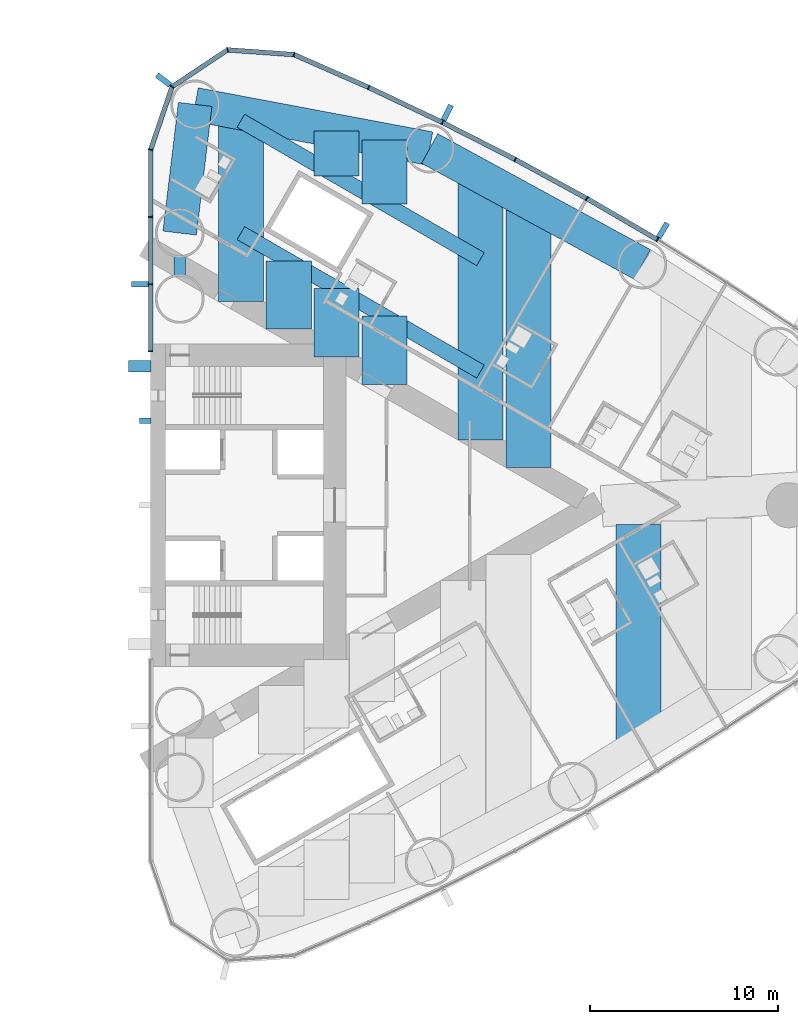
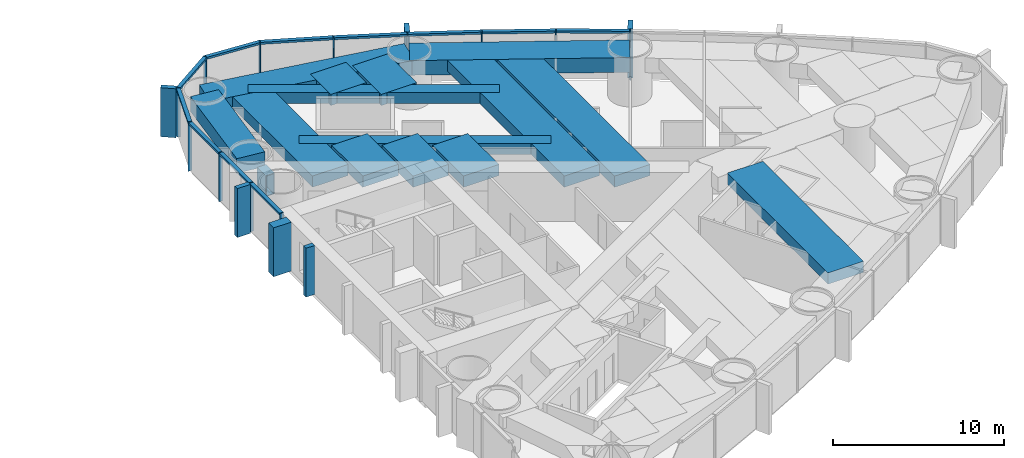
# One storey, part 7 of 18: 29 members, 15 beams, 1 element without a shape of its own.
"""IFC4 building model written with IfcOpenShell, lengths in metres."""

import ifcopenshell
import ifcopenshell.guid

model = None  # the IFC model being written
_history = None  # IfcOwnerHistory: only IFC2X3 demands one
_inside = {}  # id of a spatial element -> (the spatial element, [elements in it])
_under = {}  # id of a project, library or spatial element -> (it, [spatial elements below it])
_declared = {}  # id of a project -> (the project, [libraries it declares])
_typed = {}  # id of a type object -> (the type object, [elements of that type])
_made_of = {}  # id of a material, layer set ... -> (it, [elements and type objects made of it])


def new_model(schema):
    """Start an empty IFC model of exactly this schema.

    Asked for "IFC4X3", IfcOpenShell would pick the latest addendum, in which some entities
    have other attributes; the version numbers below select the first issue.
    IFC2X3 requires an IfcOwnerHistory on every rooted entity: one is made here for all.
    """
    global model, _history
    if schema == "IFC4X3":
        model = ifcopenshell.file(schema_version=(4, 3, 0, 0))
    else:
        model = ifcopenshell.file(schema=schema)
    _inside.clear()
    _under.clear()
    _declared.clear()
    _typed.clear()
    _made_of.clear()
    _history = None
    if model.schema == "IFC2X3":
        org = make("IfcOrganization", Name="unknown")
        user = make(
            "IfcPersonAndOrganization",
            ThePerson=make("IfcPerson", FamilyName="unknown"),
            TheOrganization=org,
        )
        app = make(
            "IfcApplication",
            ApplicationDeveloper=org,
            Version="unknown",
            ApplicationFullName="unknown",
            ApplicationIdentifier="unknown",
        )
        _history = make(
            "IfcOwnerHistory",
            OwningUser=user,
            OwningApplication=app,
            ChangeAction="ADDED",
            CreationDate=0,
        )
    return model


def make(cls, **values):
    """One entity of the class cls with the attributes given. An attribute that is None is left unset."""
    return model.create_entity(
        cls, **{name: value for name, value in values.items() if value is not None}
    )


def rooted(cls, **values):
    """An entity with a GlobalId (a new one), such as an element, a storey or a relation."""
    return make(cls, GlobalId=ifcopenshell.guid.new(), OwnerHistory=_history, **values)


def si_unit(unit_type, name, prefix=None):
    """IfcSIUnit, for example si_unit("LENGTHUNIT", "METRE", prefix="MILLI")."""
    return make("IfcSIUnit", UnitType=unit_type, Prefix=prefix, Name=name)


def assignment(units):
    """IfcUnitAssignment: the units of a project."""
    return None if units is None else make("IfcUnitAssignment", Units=units)


def point(xyz):
    """IfcCartesianPoint."""
    return None if xyz is None else make("IfcCartesianPoint", Coordinates=xyz)


def direction(xyz):
    """IfcDirection."""
    return None if xyz is None else make("IfcDirection", DirectionRatios=xyz)


def frame(location, z_axis=None, x_axis=None):
    """IfcAxis2Placement3D, a coordinate frame: its origin and axes. An axis left out is left unset."""
    return make(
        "IfcAxis2Placement3D",
        Location=point(location),
        Axis=direction(z_axis),
        RefDirection=direction(x_axis),
    )


def frame_2d(location, x_axis=None):
    """IfcAxis2Placement2D, a coordinate frame in the plane: its origin and x axis."""
    return make(
        "IfcAxis2Placement2D", Location=point(location), RefDirection=direction(x_axis)
    )


def origin():
    """The frame at (0, 0, 0) with its axes left unset."""
    return frame((0.0, 0.0, 0.0))


def origin_2d():
    """The frame at (0, 0) in the plane with its x axis left unset."""
    return frame_2d((0.0, 0.0))


def place(relative_to, where):
    """IfcLocalPlacement: puts the frame where relative to a parent placement (None: the world)."""
    return make(
        "IfcLocalPlacement", PlacementRelTo=relative_to, RelativePlacement=where
    )


def context(
    kind, dimensions, precision=None, world=None, true_north=None, identifier=None
):
    """IfcGeometricRepresentationContext, for example the 3D "Model" context."""
    return make(
        "IfcGeometricRepresentationContext",
        ContextIdentifier=identifier,
        ContextType=kind,
        CoordinateSpaceDimension=dimensions,
        Precision=precision,
        WorldCoordinateSystem=world,
        TrueNorth=true_north,
    )


def subcontext(parent, identifier, kind, view, scale=None):
    """IfcGeometricRepresentationSubContext, for example "Body" below "Model"."""
    return make(
        "IfcGeometricRepresentationSubContext",
        ContextIdentifier=identifier,
        ContextType=kind,
        ParentContext=parent,
        TargetScale=scale,
        TargetView=view,
    )


def project(units=None, contexts=None):
    """IfcProject with its units and contexts."""
    return rooted(
        "IfcProject",
        Name="project",
        RepresentationContexts=contexts,
        UnitsInContext=assignment(units),
    )


def spatial(cls, under=None, at=None, **own):
    """A site, building, storey or space (cls), placed at a placement, below another one or the project."""
    s = rooted(cls, ObjectPlacement=at, **own)
    if under is not None:
        _under.setdefault(under.id(), (under, []))[1].append(s)
    return s


def profile(cls, at=None, kind="AREA", **sizes):
    """A parametric profile (cls). Its sizes go by their IFC names, for example OverallWidth=200.0."""
    return make(cls, ProfileType=kind, Position=at, **sizes)


def rectangle(**sizes):
    """IfcRectangleProfileDef."""
    return profile("IfcRectangleProfileDef", **sizes)


def hollow_rectangle(**sizes):
    """IfcRectangleHollowProfileDef."""
    return profile("IfcRectangleHollowProfileDef", **sizes)


def extrude(swept, where, along, depth):
    """IfcExtrudedAreaSolid: the profile swept, set in the frame where, extruded along a direction by depth."""
    return make(
        "IfcExtrudedAreaSolid",
        SweptArea=swept,
        Position=where,
        ExtrudedDirection=direction(along),
        Depth=depth,
    )


def shape(context_of_items, identifier, shape_type, items):
    """IfcShapeRepresentation: the items that make up one representation, for example the "Body"."""
    return make(
        "IfcShapeRepresentation",
        ContextOfItems=context_of_items,
        RepresentationIdentifier=identifier,
        RepresentationType=shape_type,
        Items=items,
    )


def material(Name=None, Category=None):
    """IfcMaterial."""
    return make("IfcMaterial", Name=Name, Category=Category)


def material_profile(
    of_material, cross_section, Name=None, Category=None, Priority=None
):
    """IfcMaterialProfile: a cross section and its material."""
    return make(
        "IfcMaterialProfile",
        Name=Name,
        Material=of_material,
        Profile=cross_section,
        Priority=Priority,
        Category=Category,
    )


def profile_set(profiles, Name=None, composite=None):
    """IfcMaterialProfileSet."""
    return make(
        "IfcMaterialProfileSet",
        Name=Name,
        MaterialProfiles=profiles,
        CompositeProfile=composite,
    )


def made_of(thing, what):
    """Note that an element or type object is made of a material, layer set ...; save() writes the relation."""
    if what is not None:
        _made_of.setdefault(what.id(), (what, []))[1].append(thing)
    return thing


def type_object(cls, material=None, **own):
    """A type object (cls), such as IfcWallType, which elements share."""
    return made_of(rooted(cls, **own), material)


def element(
    cls,
    number,
    at=None,
    inside=None,
    cuts=None,
    type_object=None,
    material=None,
    context=None,
    identifier="Body",
    shape_type=None,
    held_by="IfcProductDefinitionShape",
    body=None,
    shapes=None,
    **own,
):
    """One element of the class cls, such as IfcWall. Its Tag is "e" and its number.

    at: its placement. inside: the storey or other place that contains it. cuts: it is an
    opening in that element (IfcRelVoidsElement). A single representation is given by context,
    identifier, shape_type and body (its items); several are given by shapes. held_by: the class
    of the entity that holds the representations. save() writes the other relations.
    """
    e = rooted(cls, Tag="e%d" % number, ObjectPlacement=at, **own)
    if body is not None:
        shapes = [shape(context, identifier, shape_type, body)]
    if shapes is not None:
        e.Representation = make(held_by, Representations=shapes)
    if inside is not None:
        _inside.setdefault(inside.id(), (inside, []))[1].append(e)
    if cuts is not None:
        rooted(
            "IfcRelVoidsElement", RelatingBuildingElement=cuts, RelatedOpeningElement=e
        )
    if type_object is not None:
        _typed.setdefault(type_object.id(), (type_object, []))[1].append(e)
    return made_of(e, material)


def aggregate(whole, parts):
    """IfcRelAggregates: a whole, such as a stair, and the parts it consists of."""
    return rooted("IfcRelAggregates", RelatingObject=whole, RelatedObjects=parts)


def save(model, path):
    """Write the relations noted so far, then the file.

    IfcRelAggregates (storeys below a building ...), IfcRelContainedInSpatialStructure (elements
    in a storey), IfcRelDefinesByType, IfcRelAssociatesMaterial and IfcRelDeclares: one each for
    every whole, place, type object, material and project.
    """
    for whole, parts in _under.values():
        aggregate(whole, parts)
    for where, things in _inside.values():
        rooted(
            "IfcRelContainedInSpatialStructure",
            RelatedElements=things,
            RelatingStructure=where,
        )
    for kind, things in _typed.values():
        rooted("IfcRelDefinesByType", RelatedObjects=things, RelatingType=kind)
    for what, things in _made_of.values():
        rooted("IfcRelAssociatesMaterial", RelatedObjects=things, RelatingMaterial=what)
    for by, libraries in _declared.values():
        rooted("IfcRelDeclares", RelatingContext=by, RelatedDefinitions=libraries)
    model.write(path)


model = new_model("IFC4")

# Units and contexts
model_context = context("Model", 3, precision=1e-05, world=origin(), true_north=direction((0.0, 1.0)))
body_context = subcontext(model_context, "Body", "Model", "MODEL_VIEW")
ifc_project = project(units=[si_unit("LENGTHUNIT", "METRE"), si_unit("AREAUNIT", "SQUARE_METRE"), si_unit("VOLUMEUNIT", "CUBIC_METRE"), si_unit("PLANEANGLEUNIT", "RADIAN"), si_unit("MASSUNIT", "GRAM", prefix="KILO")], contexts=[model_context])

# Site, building, storey
site_placement = place(None, origin())
site = spatial("IfcSite", under=ifc_project, at=site_placement, CompositionType="ELEMENT")
building_placement = place(site_placement, origin())
building = spatial("IfcBuilding", under=site, at=building_placement, Name="Lancet Gate Hotel", CompositionType="ELEMENT")
storey_placement = place(building_placement, frame((0.0, 0.0, 108.10009765625)))
storey = spatial("IfcBuildingStorey", under=building, at=storey_placement, Name="L28", CompositionType="ELEMENT", Elevation=108.10009765625)

# Curtain wall, members
ifc_material_1 = material(Name="Aluminium curtain wall", Category="aluminium")
curtain_wall_type = type_object("IfcCurtainWallType", Name="Tower unitised curtain wall", PredefinedType="USERDEFINED", material=ifc_material_1)
curtain_wall_placement = place(storey_placement, origin())
curtain_wall = element("IfcCurtainWall", 1, at=curtain_wall_placement, inside=storey, type_object=curtain_wall_type, Name="T2 L28 curtain wall 1", ObjectType="UNITISED CURTAIN WALL", PredefinedType="USERDEFINED")
ifc_material_2 = material(Name="Aluminium mullion", Category="aluminium")
ifc_material_profile_1 = material_profile(ifc_material_2, rectangle(XDim=0.06494140625, YDim=0.25, at=origin_2d()), Name="MULLION 65x250")
ifc_profile_set_1 = profile_set([ifc_material_profile_1], Name="Aluminium mullion")
member_type_1 = type_object("IfcMemberType", Name="Aluminium mullion 65x250", PredefinedType="MULLION", material=ifc_profile_set_1)
member_1_placement = place(storey_placement, frame((54.496337890625, 14.1552734375, 0.0), z_axis=(0.0, 0.0, 1.0), x_axis=(-0.856728030701, 0.515768437781, 0.0)))
member_1 = element("IfcMember", 2, at=member_1_placement, type_object=member_type_1, Name="T2 L28 curtain wall 1 mullion 23", PredefinedType="MULLION", context=body_context, shape_type="SweptSolid", body=[
    extrude(rectangle(XDim=0.06494140625, YDim=0.25, at=origin_2d()), origin(), (0.0, 0.0, 1.0), 3.5),
])
member_2_placement = place(storey_placement, frame((50.740478515625, 16.344482421875, 0.0), z_axis=(0.0, 0.0, 1.0), x_axis=(-0.871028838445, 0.491231882716, 0.0)))
member_2 = element("IfcMember", 3, at=member_2_placement, type_object=member_type_1, Name="T2 L28 curtain wall 1 mullion 24", PredefinedType="MULLION", context=body_context, shape_type="SweptSolid", body=[
    extrude(rectangle(XDim=0.06494140625, YDim=0.25, at=origin_2d()), origin(), (0.0, 0.0, 1.0), 3.5),
])
member_3_placement = place(storey_placement, frame((46.923828125, 18.426025390625, 0.0), z_axis=(0.0, 0.0, 1.0), x_axis=(-0.884627112962, 0.466299121822, 0.0)))
member_3 = element("IfcMember", 4, at=member_3_placement, type_object=member_type_1, Name="T2 L28 curtain wall 1 mullion 25", PredefinedType="MULLION", context=body_context, shape_type="SweptSolid", body=[
    extrude(rectangle(XDim=0.06494140625, YDim=0.25, at=origin_2d()), origin(), (0.0, 0.0, 1.0), 3.5),
])
member_4_placement = place(storey_placement, frame((43.0498046875, 20.398193359375, 0.0), z_axis=(0.0, 0.0, 1.0), x_axis=(-0.897511886496, 0.440990264743, 0.0)))
member_4 = element("IfcMember", 5, at=member_4_placement, type_object=member_type_1, Name="T2 L28 curtain wall 1 mullion 26", PredefinedType="MULLION", context=body_context, shape_type="SweptSolid", body=[
    extrude(rectangle(XDim=0.06494140625, YDim=0.25, at=origin_2d()), origin(), (0.0, 0.0, 1.0), 3.5),
])
member_5_placement = place(storey_placement, frame((39.12109375, 22.259765625, 0.0), z_axis=(0.0, 0.0, 1.0), x_axis=(-0.909672766767, 0.415325724465, 0.0)))
member_5 = element("IfcMember", 6, at=member_5_placement, type_object=member_type_1, Name="T2 L28 curtain wall 1 mullion 27", PredefinedType="MULLION", context=body_context, shape_type="SweptSolid", body=[
    extrude(rectangle(XDim=0.06494140625, YDim=0.25, at=origin_2d()), origin(), (0.0, 0.0, 1.0), 3.5),
])
member_6_placement = place(storey_placement, frame((35.141357421875, 24.009033203125, 0.0), z_axis=(0.0, 0.0, 1.0), x_axis=(-0.966317378791, 0.257353304711, 0.0)))
member_6 = element("IfcMember", 7, at=member_6_placement, type_object=member_type_1, Name="T2 L28 curtain wall 1 mullion 28", PredefinedType="MULLION", context=body_context, shape_type="SweptSolid", body=[
    extrude(rectangle(XDim=0.06494140625, YDim=0.25, at=origin_2d()), origin(), (0.0, 0.0, 1.0), 3.5),
])
member_7_placement = place(storey_placement, frame((31.60205078125, 24.26220703125, 0.0), z_axis=(0.0, 0.0, 1.0), x_axis=(-0.967157174963, -0.254179068604, 0.0)))
member_7 = element("IfcMember", 8, at=member_7_placement, type_object=member_type_1, Name="T2 L28 curtain wall 1 mullion 29", PredefinedType="MULLION", context=body_context, shape_type="SweptSolid", body=[
    extrude(rectangle(XDim=0.06494140625, YDim=0.25, at=origin_2d()), origin(), (0.0, 0.0, 1.0), 3.5),
])
member_8_placement = place(storey_placement, frame((28.64453125, 22.301513671875, 0.0), z_axis=(0.0, 0.0, 1.0), x_axis=(-0.610663954798, -0.79188984986, 0.0)))
member_8 = element("IfcMember", 9, at=member_8_placement, type_object=member_type_1, Name="T2 L28 curtain wall 1 mullion 30", PredefinedType="MULLION", context=body_context, shape_type="SweptSolid", body=[
    extrude(rectangle(XDim=0.06494140625, YDim=0.25, at=origin_2d()), origin(), (0.0, 0.0, 1.0), 3.5),
])
member_9_placement = place(storey_placement, frame((27.5, 18.94287109375, 0.0), z_axis=(0.0, 0.0, 1.0), x_axis=(-0.162738742557, -0.986669195663, 0.0)))
member_9 = element("IfcMember", 10, at=member_9_placement, type_object=member_type_1, Name="T2 L28 curtain wall 1 mullion 31", PredefinedType="MULLION", context=body_context, shape_type="SweptSolid", body=[
    extrude(rectangle(XDim=0.06494140625, YDim=0.25, at=origin_2d()), origin(), (0.0, 0.0, 1.0), 3.5),
])
member_10_placement = place(storey_placement, frame((27.5, 15.362060546875, 0.0), z_axis=(0.0, 0.0, 1.0), x_axis=(0.0, -1.0, 0.0)))
member_10 = element("IfcMember", 11, at=member_10_placement, type_object=member_type_1, Name="T2 L28 curtain wall 1 mullion 32", PredefinedType="MULLION", context=body_context, shape_type="SweptSolid", body=[
    extrude(rectangle(XDim=0.06494140625, YDim=0.25, at=origin_2d()), origin(), (0.0, 0.0, 1.0), 3.5),
])
member_11_placement = place(storey_placement, frame((27.5, 11.781005859375, 0.0), z_axis=(0.0, 0.0, 1.0), x_axis=(0.0, -1.0, 0.0)))
member_11 = element("IfcMember", 12, at=member_11_placement, type_object=member_type_1, Name="T2 L28 curtain wall 1 mullion 33", PredefinedType="MULLION", context=body_context, shape_type="SweptSolid", body=[
    extrude(rectangle(XDim=0.06494140625, YDim=0.25, at=origin_2d()), origin(), (0.0, 0.0, 1.0), 3.5),
])
member_12_placement = place(storey_placement, frame((27.5, 8.199951171875, 0.0), z_axis=(0.0, 0.0, 1.0), x_axis=(0.0, -1.0, 0.0)))
member_12 = element("IfcMember", 13, at=member_12_placement, type_object=member_type_1, Name="T2 L28 curtain wall 1 mullion 34", PredefinedType="MULLION", context=body_context, shape_type="SweptSolid", body=[
    extrude(rectangle(XDim=0.06494140625, YDim=0.25, at=origin_2d()), origin(), (0.0, 0.0, 1.0), 3.5),
])
ifc_material_3 = material(Name="Aluminium transom", Category="aluminium")
ifc_material_profile_2 = material_profile(ifc_material_3, rectangle(XDim=0.25, YDim=0.14990234375, at=origin_2d()), Name="TRANSOM 250x150")
ifc_profile_set_2 = profile_set([ifc_material_profile_2], Name="Aluminium transom")
member_type_2 = type_object("IfcMemberType", Name="Aluminium transom 250x150", PredefinedType="USERDEFINED", material=ifc_profile_set_2)
member_13_placement = place(storey_placement, frame((54.46826171875, 14.171630859375, 3.4248046875), z_axis=(-0.863973212152, 0.503537772847, 0.0), x_axis=(-0.503537772847, -0.863973212152, 0.0)))
member_13 = element("IfcMember", 14, at=member_13_placement, type_object=member_type_2, Name="T2 L28 curtain wall 1 transom 23", ObjectType="TRANSOM", PredefinedType="USERDEFINED", context=body_context, shape_type="SweptSolid", body=[
    extrude(rectangle(XDim=0.25, YDim=0.14990234375, at=origin_2d()), origin(), (0.0, 0.0, 1.0), 4.2822265625),
])
member_14_placement = place(storey_placement, frame((50.7119140625, 16.35986328125, 3.4248046875), z_axis=(-0.877906466435, 0.478832158685, 0.0), x_axis=(-0.478832158685, -0.877906466435, 0.0)))
member_14 = element("IfcMember", 15, at=member_14_placement, type_object=member_type_2, Name="T2 L28 curtain wall 1 transom 24", ObjectType="TRANSOM", PredefinedType="USERDEFINED", context=body_context, shape_type="SweptSolid", body=[
    extrude(rectangle(XDim=0.25, YDim=0.14990234375, at=origin_2d()), origin(), (0.0, 0.0, 1.0), 4.282470703125),
])
member_15_placement = place(storey_placement, frame((46.89501953125, 18.440673828125, 3.4248046875), z_axis=(-0.891165630033, 0.453678101574, 0.0), x_axis=(-0.453678101574, -0.891165630033, 0.0)))
member_15 = element("IfcMember", 16, at=member_15_placement, type_object=member_type_2, Name="T2 L28 curtain wall 1 transom 25", ObjectType="TRANSOM", PredefinedType="USERDEFINED", context=body_context, shape_type="SweptSolid", body=[
    extrude(rectangle(XDim=0.25, YDim=0.14990234375, at=origin_2d()), origin(), (0.0, 0.0, 1.0), 4.282470703125),
])
member_16_placement = place(storey_placement, frame((43.0205078125, 20.412109375, 3.4248046875), z_axis=(-0.903679787814, 0.428208875546, 0.0), x_axis=(-0.428208875546, -0.903679787814, 0.0)))
member_16 = element("IfcMember", 17, at=member_16_placement, type_object=member_type_2, Name="T2 L28 curtain wall 1 transom 26", ObjectType="TRANSOM", PredefinedType="USERDEFINED", context=body_context, shape_type="SweptSolid", body=[
    extrude(rectangle(XDim=0.25, YDim=0.14990234375, at=origin_2d()), origin(), (0.0, 0.0, 1.0), 4.282470703125),
])
member_17_placement = place(storey_placement, frame((39.09130859375, 22.27294921875, 3.4248046875), z_axis=(-0.915484772266, 0.402352621155, 0.0), x_axis=(-0.402352621155, -0.915484772266, 0.0)))
member_17 = element("IfcMember", 18, at=member_17_placement, type_object=member_type_2, Name="T2 L28 curtain wall 1 transom 27", ObjectType="TRANSOM", PredefinedType="USERDEFINED", context=body_context, shape_type="SweptSolid", body=[
    extrude(rectangle(XDim=0.25, YDim=0.14990234375, at=origin_2d()), origin(), (0.0, 0.0, 1.0), 4.281982421875),
])
member_18_placement = place(storey_placement, frame((35.10888671875, 24.01123046875, 3.4248046875), z_axis=(-0.997446232115, 0.071421383636, 0.0), x_axis=(-0.071421383636, -0.997446232115, 0.0)))
member_18 = element("IfcMember", 19, at=member_18_placement, type_object=member_type_2, Name="T2 L28 curtain wall 1 transom 28", ObjectType="TRANSOM", PredefinedType="USERDEFINED", context=body_context, shape_type="SweptSolid", body=[
    extrude(rectangle(XDim=0.25, YDim=0.14990234375, at=origin_2d()), origin(), (0.0, 0.0, 1.0), 3.483154296875),
])
member_19_placement = place(storey_placement, frame((31.574951171875, 24.244384765625, 3.4248046875), z_axis=(-0.833470854141, -0.552563421968, 0.0), x_axis=(0.552563421968, -0.833470854141, 0.0)))
member_19 = element("IfcMember", 20, at=member_19_placement, type_object=member_type_2, Name="T2 L28 curtain wall 1 transom 29", ObjectType="TRANSOM", PredefinedType="USERDEFINED", context=body_context, shape_type="SweptSolid", body=[
    extrude(rectangle(XDim=0.25, YDim=0.14990234375, at=origin_2d()), origin(), (0.0, 0.0, 1.0), 3.4833984375),
])
member_20_placement = place(storey_placement, frame((28.634033203125, 22.270751953125, 3.4248046875), z_axis=(-0.322549769135, -0.946552505903, 0.0), x_axis=(0.946552505903, -0.322549769135, 0.0)))
member_20 = element("IfcMember", 21, at=member_20_placement, type_object=member_type_2, Name="T2 L28 curtain wall 1 transom 30", ObjectType="TRANSOM", PredefinedType="USERDEFINED", context=body_context, shape_type="SweptSolid", body=[
    extrude(rectangle(XDim=0.25, YDim=0.14990234375, at=origin_2d()), origin(), (0.0, 0.0, 1.0), 3.4833984375),
])
member_21_placement = place(storey_placement, frame((27.5, 18.910400390625, 3.4248046875), z_axis=(0.0, -1.0, 0.0), x_axis=(1.0, 0.0, 0.0)))
member_21 = element("IfcMember", 22, at=member_21_placement, type_object=member_type_2, Name="T2 L28 curtain wall 1 transom 31", ObjectType="TRANSOM", PredefinedType="USERDEFINED", context=body_context, shape_type="SweptSolid", body=[
    extrude(rectangle(XDim=0.25, YDim=0.14990234375, at=origin_2d()), origin(), (0.0, 0.0, 1.0), 3.515869140625),
])
member_22_placement = place(storey_placement, frame((27.5, 15.329345703125, 3.4248046875), z_axis=(0.0, -1.0, 0.0), x_axis=(1.0, 0.0, 0.0)))
member_22 = element("IfcMember", 23, at=member_22_placement, type_object=member_type_2, Name="T2 L28 curtain wall 1 transom 32", ObjectType="TRANSOM", PredefinedType="USERDEFINED", context=body_context, shape_type="SweptSolid", body=[
    extrude(rectangle(XDim=0.25, YDim=0.14990234375, at=origin_2d()), origin(), (0.0, 0.0, 1.0), 3.515869140625),
])
member_23_placement = place(storey_placement, frame((27.5, 11.74853515625, 3.4248046875), z_axis=(0.0, -1.0, 0.0), x_axis=(1.0, 0.0, 0.0)))
member_23 = element("IfcMember", 24, at=member_23_placement, type_object=member_type_2, Name="T2 L28 curtain wall 1 transom 33", ObjectType="TRANSOM", PredefinedType="USERDEFINED", context=body_context, shape_type="SweptSolid", body=[
    extrude(rectangle(XDim=0.25, YDim=0.14990234375, at=origin_2d()), origin(), (0.0, 0.0, 1.0), 3.51611328125),
])

# Beams
ifc_material_4 = material(Name="Concrete C50/60", Category="concrete")
ifc_material_profile_3 = material_profile(ifc_material_4, rectangle(XDim=1.800048828125, YDim=1.050048828125, at=origin_2d()), Name="RC 1800x1050")
ifc_profile_set_3 = profile_set([ifc_material_profile_3], Name="Concrete C50/60")
beam_type_1 = type_object("IfcBeamType", Name="Edge beam RC 1800x1050", PredefinedType="SPANDREL", material=ifc_profile_set_3)
beam_1_placement = place(storey_placement, frame((53.697021484375, 12.827392578125, 2.724853515625), z_axis=(-0.87792015078, 0.478807068509, 0.0), x_axis=(-0.478807068509, -0.87792015078, 0.0)))
element("IfcBeam", 25, at=beam_1_placement, inside=storey, type_object=beam_type_1, Name="T2 edge beam EB1 L28", PredefinedType="SPANDREL", context=body_context, shape_type="SweptSolid", body=[
    extrude(rectangle(XDim=1.800048828125, YDim=1.050048828125, at=origin_2d()), origin(), (0.0, 0.0, 1.0), 12.906494140625),
])
beam_2_placement = place(storey_placement, frame((42.3662109375, 19.007080078125, 2.724853515625), z_axis=(-0.982797318081, 0.184687388776, 0.0), x_axis=(-0.184687388776, -0.982797318081, 0.0)))
element("IfcBeam", 26, at=beam_2_placement, inside=storey, type_object=beam_type_1, Name="T2 edge beam EB1 L28", PredefinedType="SPANDREL", context=body_context, shape_type="SweptSolid", body=[
    extrude(rectangle(XDim=1.800048828125, YDim=1.050048828125, at=origin_2d()), origin(), (0.0, 0.0, 1.0), 12.712890625),
])
beam_3_placement = place(storey_placement, frame((29.050048828125, 14.5, 2.724853515625), z_axis=(0.119062951196, 0.99288670736, 0.0), x_axis=(-0.99288670736, 0.119062951196, 0.0)))
element("IfcBeam", 27, at=beam_3_placement, inside=storey, type_object=beam_type_1, Name="T2 edge beam EB1 L28", PredefinedType="SPANDREL", context=body_context, shape_type="SweptSolid", body=[
    extrude(rectangle(XDim=1.800048828125, YDim=1.050048828125, at=origin_2d()), origin(), (0.0, 0.0, 1.0), 6.904052734375),
])

# Member
ifc_material_5 = material(Name="Concrete C60/75", Category="concrete")
ifc_material_profile_4 = material_profile(ifc_material_5, rectangle(XDim=0.60009765625, YDim=1.199951171875, at=origin_2d()), Name="FIN 600x1200")
ifc_profile_set_4 = profile_set([ifc_material_profile_4], Name="Concrete C60/75")
member_type_3 = type_object("IfcMemberType", Name="Exposed concrete buttress pilaster 600x1200", PredefinedType="USERDEFINED", material=ifc_profile_set_4)
member_24_placement = place(storey_placement, frame((26.909912109375, 7.39990234375, 0.0), z_axis=(0.0, 0.0, 1.0), x_axis=(0.0, 1.0, 0.0)))
element("IfcMember", 28, at=member_24_placement, inside=storey, type_object=member_type_3, Name="T2 buttress pilaster N L28", ObjectType="FIN", PredefinedType="USERDEFINED", context=body_context, shape_type="SweptSolid", body=[
    extrude(rectangle(XDim=0.60009765625, YDim=1.199951171875, at=origin_2d()), origin(), (0.0, 0.0, 1.0), 3.5),
])

ifc_material_6 = material(Name="Precast concrete C50/60", Category="concrete")
ifc_material_profile_5 = material_profile(ifc_material_6, rectangle(XDim=0.300048828125, YDim=0.89990234375, at=origin_2d()), Name="FIN 300x900")
ifc_profile_set_5 = profile_set([ifc_material_profile_5], Name="Precast concrete C50/60")
member_type_4 = type_object("IfcMemberType", Name="Exposed concrete fin 300x900", PredefinedType="USERDEFINED", material=ifc_profile_set_5)
member_25_placement = place(storey_placement, frame((54.79296875, 14.64794921875, 0.0), z_axis=(0.0, 0.0, 1.0), x_axis=(-0.856728030701, 0.515768437781, 0.0)))
member_25 = element("IfcMember", 29, at=member_25_placement, type_object=member_type_4, Name="T2 L28 curtain wall 1 fin 23", ObjectType="FIN", PredefinedType="USERDEFINED", context=body_context, shape_type="SweptSolid", body=[
    extrude(rectangle(XDim=0.300048828125, YDim=0.89990234375, at=origin_2d()), origin(), (0.0, 0.0, 1.0), 3.5),
])

member_26_placement = place(storey_placement, frame((43.30322265625, 20.914306640625, 0.0), z_axis=(0.0, 0.0, 1.0), x_axis=(-0.897511886496, 0.440990264743, 0.0)))
member_26 = element("IfcMember", 30, at=member_26_placement, type_object=member_type_4, Name="T2 L28 curtain wall 1 fin 26", ObjectType="FIN", PredefinedType="USERDEFINED", context=body_context, shape_type="SweptSolid", body=[
    extrude(rectangle(XDim=0.300048828125, YDim=0.89990234375, at=origin_2d()), origin(), (0.0, 0.0, 1.0), 3.5),
])

member_27_placement = place(storey_placement, frame((28.189208984375, 22.65283203125, 0.0), z_axis=(0.0, 0.0, 1.0), x_axis=(-0.610663954798, -0.79188984986, 0.0)))
member_27 = element("IfcMember", 31, at=member_27_placement, type_object=member_type_4, Name="T2 L28 curtain wall 1 fin 30", ObjectType="FIN", PredefinedType="USERDEFINED", context=body_context, shape_type="SweptSolid", body=[
    extrude(rectangle(XDim=0.300048828125, YDim=0.89990234375, at=origin_2d()), origin(), (0.0, 0.0, 1.0), 3.5),
])

member_28_placement = place(storey_placement, frame((26.925048828125, 11.781005859375, 0.0), z_axis=(0.0, 0.0, 1.0), x_axis=(0.0, -1.0, 0.0)))
member_28 = element("IfcMember", 32, at=member_28_placement, type_object=member_type_4, Name="T2 L28 curtain wall 1 fin 33", ObjectType="FIN", PredefinedType="USERDEFINED", context=body_context, shape_type="SweptSolid", body=[
    extrude(rectangle(XDim=0.300048828125, YDim=0.89990234375, at=origin_2d()), origin(), (0.0, 0.0, 1.0), 3.5),
])

aggregate(curtain_wall, [member_1, member_25, member_2, member_3, member_4, member_26, member_5, member_6, member_7, member_8, member_27, member_9, member_10, member_11, member_28, member_12, member_13, member_14, member_15, member_16, member_17, member_18, member_19, member_20, member_21, member_22, member_23])

ifc_material_7 = material(Name="Concrete C60/75", Category="concrete")
ifc_material_profile_6 = material_profile(ifc_material_7, rectangle(XDim=0.300048828125, YDim=0.60009765625, at=origin_2d()), Name="FIN 300x600")
ifc_profile_set_6 = profile_set([ifc_material_profile_6], Name="Concrete C60/75")
member_type_5 = type_object("IfcMemberType", Name="Exposed concrete rib 300x600", PredefinedType="USERDEFINED", material=ifc_profile_set_6)
member_29_placement = place(storey_placement, frame((27.2099609375, 4.5, 0.0), z_axis=(0.0, 0.0, 1.0), x_axis=(0.0, 1.0, 0.0)))
element("IfcMember", 33, at=member_29_placement, inside=storey, type_object=member_type_5, Name="T2 core rib 3 L28", ObjectType="FIN", PredefinedType="USERDEFINED", context=body_context, shape_type="SweptSolid", body=[
    extrude(rectangle(XDim=0.300048828125, YDim=0.60009765625, at=origin_2d()), origin(), (0.0, 0.0, 1.0), 3.5),
])

# Beams
ifc_material_8 = material(Name="Concrete C50/60", Category="concrete")
ifc_material_profile_7 = material_profile(ifc_material_8, rectangle(XDim=2.39990234375, YDim=0.800048828125, at=origin_2d()), Name="RC 2400x800")
ifc_profile_set_7 = profile_set([ifc_material_profile_7], Name="Concrete C50/60")
beam_type_2 = type_object("IfcBeamType", Name="Floor beam RC 2400x800", PredefinedType="BEAM", material=ifc_profile_set_7)
beam_4_placement = place(storey_placement, frame((32.306396484375, 10.851806640625, 2.849853515625), z_axis=(0.0, 1.0, 0.0), x_axis=(-1.0, 0.0, 0.0)))
element("IfcBeam", 34, at=beam_4_placement, inside=storey, type_object=beam_type_2, Name="T2 floor beam F02N L28", PredefinedType="BEAM", context=body_context, shape_type="SweptSolid", body=[
    extrude(rectangle(XDim=2.39990234375, YDim=0.800048828125, at=origin_2d()), origin(), (0.0, 0.0, 1.0), 10.0458984375),
])
beam_5_placement = place(storey_placement, frame((45.072265625, 3.4814453125, 2.849853515625), z_axis=(0.0, 1.0, 0.0), x_axis=(-1.0, 0.0, 0.0)))
element("IfcBeam", 35, at=beam_5_placement, inside=storey, type_object=beam_type_2, Name="T2 floor beam F10N L28", PredefinedType="BEAM", context=body_context, shape_type="SweptSolid", body=[
    extrude(rectangle(XDim=2.39990234375, YDim=0.800048828125, at=origin_2d()), origin(), (0.0, 0.0, 1.0), 14.0498046875),
])
beam_6_placement = place(storey_placement, frame((47.62548828125, 2.00732421875, 2.849853515625), z_axis=(0.0, 1.0, 0.0), x_axis=(-1.0, 0.0, 0.0)))
element("IfcBeam", 36, at=beam_6_placement, inside=storey, type_object=beam_type_2, Name="T2 floor beam F12N L28", PredefinedType="BEAM", context=body_context, shape_type="SweptSolid", body=[
    extrude(rectangle(XDim=2.39990234375, YDim=0.800048828125, at=origin_2d()), origin(), (0.0, 0.0, 1.0), 14.13134765625),
])
beam_7_placement = place(storey_placement, frame((53.502197265625, -12.804443359375, 2.849853515625), z_axis=(0.0, 1.0, 0.0), x_axis=(-1.0, 0.0, 0.0)))
element("IfcBeam", 37, at=beam_7_placement, inside=storey, type_object=beam_type_2, Name="T2 floor beam F13S L28", PredefinedType="BEAM", context=body_context, shape_type="SweptSolid", body=[
    extrude(rectangle(XDim=2.39990234375, YDim=0.800048828125, at=origin_2d()), origin(), (0.0, 0.0, 1.0), 11.78564453125),
])
beam_8_placement = place(storey_placement, frame((34.859619140625, 9.377685546875, 2.849853515625), z_axis=(0.0, 1.0, 0.0), x_axis=(-1.0, 0.0, 0.0)))
element("IfcBeam", 38, at=beam_8_placement, inside=storey, type_object=beam_type_2, Name="T2 floor beam F04NA L28", PredefinedType="BEAM", context=body_context, shape_type="SweptSolid", body=[
    extrude(rectangle(XDim=2.39990234375, YDim=0.800048828125, at=origin_2d()), origin(), (0.0, 0.0, 1.0), 3.645751953125),
])
beam_9_placement = place(storey_placement, frame((37.412841796875, 7.903564453125, 2.849853515625), z_axis=(0.0, 1.0, 0.0), x_axis=(-1.0, 0.0, 0.0)))
element("IfcBeam", 39, at=beam_9_placement, inside=storey, type_object=beam_type_2, Name="T2 floor beam F06NA L28", PredefinedType="BEAM", context=body_context, shape_type="SweptSolid", body=[
    extrude(rectangle(XDim=2.39990234375, YDim=0.800048828125, at=origin_2d()), origin(), (0.0, 0.0, 1.0), 3.6455078125),
])
beam_10_placement = place(storey_placement, frame((37.412841796875, 17.537109375, 2.849853515625), z_axis=(0.0, 1.0, 0.0), x_axis=(-1.0, 0.0, 0.0)))
element("IfcBeam", 40, at=beam_10_placement, inside=storey, type_object=beam_type_2, Name="T2 floor beam F06NB L28", PredefinedType="BEAM", context=body_context, shape_type="SweptSolid", body=[
    extrude(rectangle(XDim=2.39990234375, YDim=0.800048828125, at=origin_2d()), origin(), (0.0, 0.0, 1.0), 2.40087890625),
])
beam_11_placement = place(storey_placement, frame((39.9658203125, 6.429443359375, 2.849853515625), z_axis=(0.0, 1.0, 0.0), x_axis=(-1.0, 0.0, 0.0)))
element("IfcBeam", 41, at=beam_11_placement, inside=storey, type_object=beam_type_2, Name="T2 floor beam F08NA L28", PredefinedType="BEAM", context=body_context, shape_type="SweptSolid", body=[
    extrude(rectangle(XDim=2.39990234375, YDim=0.800048828125, at=origin_2d()), origin(), (0.0, 0.0, 1.0), 3.64501953125),
])
beam_12_placement = place(storey_placement, frame((39.9658203125, 16.062744140625, 2.849853515625), z_axis=(0.0, 1.0, 0.0), x_axis=(-1.0, 0.0, 0.0)))
element("IfcBeam", 42, at=beam_12_placement, inside=storey, type_object=beam_type_2, Name="T2 floor beam F08NB L28", PredefinedType="BEAM", context=body_context, shape_type="SweptSolid", body=[
    extrude(rectangle(XDim=2.39990234375, YDim=0.800048828125, at=origin_2d()), origin(), (0.0, 0.0, 1.0), 3.3955078125),
])
ifc_material_9 = material(Name="Steel S460QL", Category="steel")
ifc_material_profile_8 = material_profile(ifc_material_9, hollow_rectangle(XDim=0.60009765625, YDim=1.5, WallThickness=0.050048828125, at=origin_2d()), Name="BOX 1500x600x50")
ifc_profile_set_8 = profile_set([ifc_material_profile_8], Name="Steel S460QL")
beam_type_3 = type_object("IfcBeamType", Name="Inner-face link beam BOX 1500x600x50", PredefinedType="BEAM", material=ifc_profile_set_8)
beam_13_placement = place(storey_placement, frame((29.050048828125, 12.25, 2.5), z_axis=(0.0, 1.0, 0.0), x_axis=(-1.0, 0.0, 0.0)))
element("IfcBeam", 43, at=beam_13_placement, inside=storey, type_object=beam_type_3, Name="T2 inner-face link beam LK1 L28", PredefinedType="BEAM", context=body_context, shape_type="SweptSolid", body=[
    extrude(hollow_rectangle(XDim=0.60009765625, YDim=1.5, WallThickness=0.050048828125, at=origin_2d()), origin(), (0.0, 0.0, 1.0), 1.0),
])
ifc_material_10 = material(Name="Steel S460QL", Category="steel")
ifc_material_profile_9 = material_profile(ifc_material_10, hollow_rectangle(XDim=0.800048828125, YDim=0.800048828125, WallThickness=0.080078125, at=origin_2d()), Name="BOX 800x800x80")
ifc_profile_set_9 = profile_set([ifc_material_profile_9], Name="Steel S460QL")
beam_type_4 = type_object("IfcBeamType", Name="Trimmer beam BOX 800x800x80", PredefinedType="BEAM", material=ifc_profile_set_9)
beam_14_placement = place(storey_placement, frame((32.306396484375, 20.48583984375, 2.849853515625), z_axis=(0.86598286195, -0.500073677381, 0.0), x_axis=(0.500073677381, 0.86598286195, 0.0)))
element("IfcBeam", 44, at=beam_14_placement, inside=storey, type_object=beam_type_4, Name="T2 trimmer beam TR03N L28", PredefinedType="BEAM", context=body_context, shape_type="SweptSolid", body=[
    extrude(hollow_rectangle(XDim=0.800048828125, YDim=0.800048828125, WallThickness=0.080078125, at=origin_2d()), origin(), (0.0, 0.0, 1.0), 14.741455078125),
])
beam_15_placement = place(storey_placement, frame((32.306396484375, 14.497802734375, 2.849853515625), z_axis=(0.865975689888, -0.500086097111, 0.0), x_axis=(0.500086097111, 0.865975689888, 0.0)))
element("IfcBeam", 45, at=beam_15_placement, inside=storey, type_object=beam_type_4, Name="T2 trimmer beam TR04N L28", PredefinedType="BEAM", context=body_context, shape_type="SweptSolid", body=[
    extrude(hollow_rectangle(XDim=0.800048828125, YDim=0.800048828125, WallThickness=0.080078125, at=origin_2d()), origin(), (0.0, 0.0, 1.0), 14.74169921875),
])

save(model, "model.ifc")
